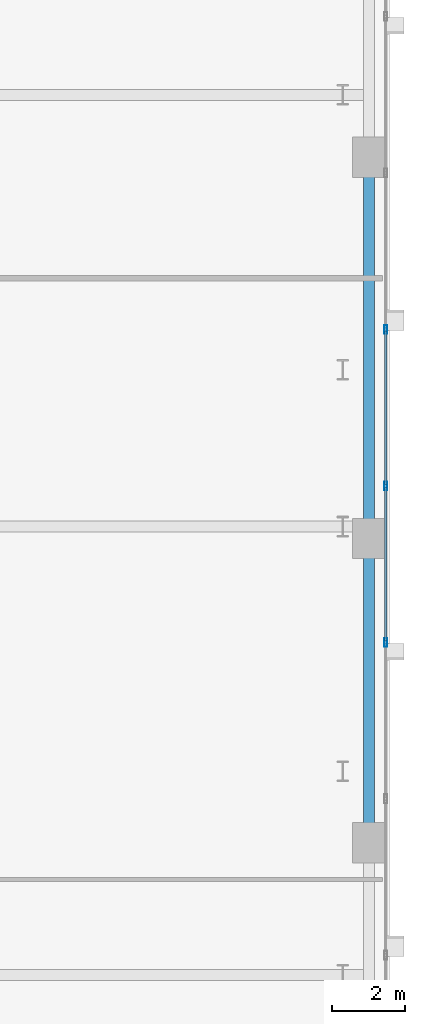
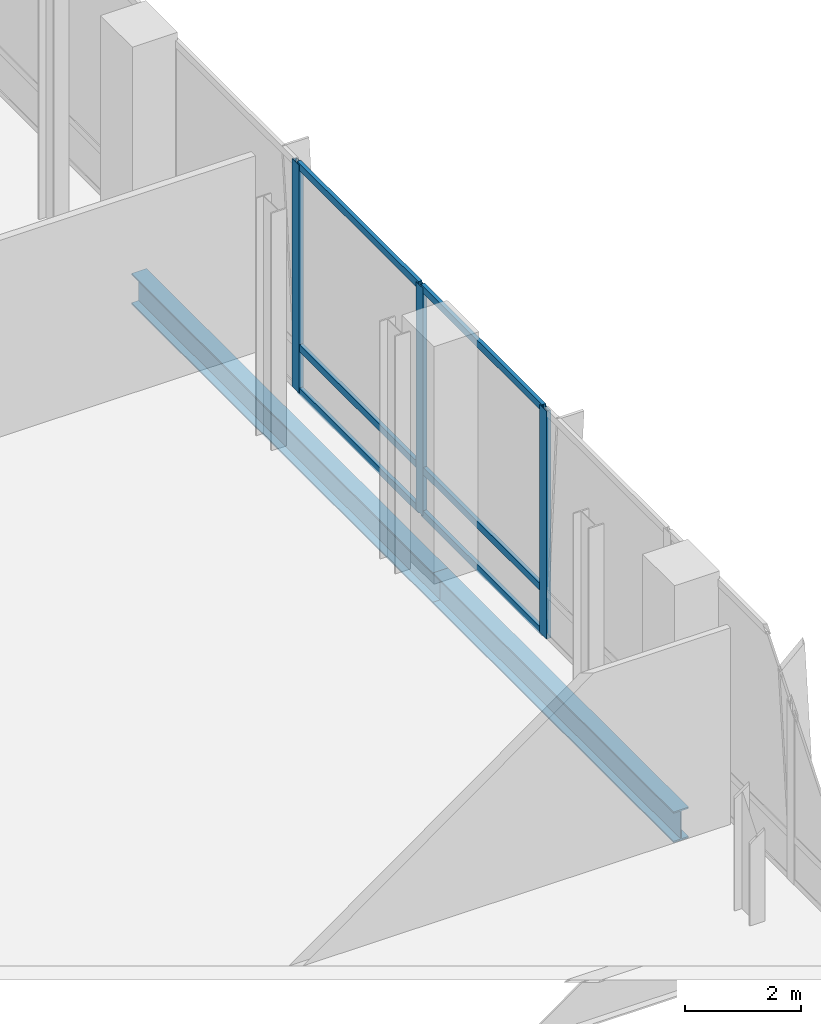
# One storey, part 16 of 26: 9 members, 2 beams, 1 element without a shape of its own.
"""IFC4 building model written with IfcOpenShell, lengths in metres."""

from ifc_helpers import new_model, si_unit, direction, frame, origin, origin_2d, place, context, subcontext, project, spatial, hollow_rectangle, i_section, extrude, material, material_profile, profile_set, type_object, element, aggregate, save


model = new_model("IFC4")

# Units and contexts
model_context = context("Model", 3, precision=1e-05, world=origin(), true_north=direction((0.0, 1.0)))
body_context = subcontext(model_context, "Body", "Model", "MODEL_VIEW")
ifc_project = project(units=[si_unit("LENGTHUNIT", "METRE"), si_unit("AREAUNIT", "SQUARE_METRE"), si_unit("VOLUMEUNIT", "CUBIC_METRE"), si_unit("PLANEANGLEUNIT", "RADIAN"), si_unit("MASSUNIT", "GRAM", prefix="KILO")], contexts=[model_context])

# Site, building, storey
site_placement = place(None, origin())
site = spatial("IfcSite", under=ifc_project, at=site_placement, CompositionType="ELEMENT")
building_placement = place(site_placement, origin())
building = spatial("IfcBuilding", under=site, at=building_placement, Name="Khoronbel Lancet Exchange", CompositionType="ELEMENT")
storey_placement = place(building_placement, frame((0.0, 0.0, 5.39990234375)))
storey = spatial("IfcBuildingStorey", under=building, at=storey_placement, Name="L01", CompositionType="ELEMENT", Elevation=5.39990234375)

# Beams
ifc_material_1 = material(Name="Steel S355", Category="steel")
ifc_material_profile_1 = material_profile(ifc_material_1, i_section(OverallWidth=0.300048828125, OverallDepth=0.64990234375, WebThickness=0.01611328125, FlangeThickness=0.031005859375, at=origin_2d()), Name="HEB 650")
ifc_profile_set_1 = profile_set([ifc_material_profile_1], Name="Steel S355")
beam_type = type_object("IfcBeamType", Name="BM-BSP1", PredefinedType="SPANDREL", material=ifc_profile_set_1)
beam_1_placement = place(storey_placement, frame((72.35009765625, 22.800048828125, -0.52490234375), z_axis=(0.0, 1.0, 0.0), x_axis=(-1.0, 0.0, 0.0)))
element("IfcBeam", 1, at=beam_1_placement, inside=storey, type_object=beam_type, Name="Level L01 perimeter spandrel beam SP10", PredefinedType="SPANDREL", context=body_context, shape_type="SweptSolid", body=[
    extrude(i_section(OverallWidth=0.300048828125, OverallDepth=0.64990234375, WebThickness=0.01611328125, FlangeThickness=0.031005859375, at=origin_2d()), origin(), (0.0, 0.0, 1.0), 8.300048828125),
])
beam_2_placement = place(storey_placement, frame((72.35009765625, 31.10009765625, -0.52490234375), z_axis=(0.0, 1.0, 0.0), x_axis=(-1.0, 0.0, 0.0)))
element("IfcBeam", 2, at=beam_2_placement, inside=storey, type_object=beam_type, Name="Level L01 perimeter spandrel beam SP11", PredefinedType="SPANDREL", context=body_context, shape_type="SweptSolid", body=[
    extrude(i_section(OverallWidth=0.300048828125, OverallDepth=0.64990234375, WebThickness=0.01611328125, FlangeThickness=0.031005859375, at=origin_2d()), origin(), (0.0, 0.0, 1.0), 10.39990234375),
])

# Curtain wall, members
ifc_material_2 = material(Name="Low-E Solar Control Insulating Glass", Category="glass")
curtain_wall_type = type_object("IfcCurtainWallType", Name="CW-5", PredefinedType="NOTDEFINED", material=ifc_material_2)
curtain_wall_placement = place(storey_placement, origin())
curtain_wall = element("IfcCurtainWall", 3, at=curtain_wall_placement, inside=storey, type_object=curtain_wall_type, Name="Unitised curtain wall CW-L01-EAST", PredefinedType="NOTDEFINED")
ifc_material_3 = material(Name="Bronze-Anodised Aluminium 6063-T6", Category="aluminium")
ifc_material_profile_2 = material_profile(ifc_material_3, hollow_rectangle(XDim=0.0849609375, YDim=0.239990234375, WallThickness=0.006103515625, at=origin_2d()), Name="ALU MULLION 85x240")
ifc_profile_set_2 = profile_set([ifc_material_profile_2], Name="Bronze-Anodised Aluminium 6063-T6")
member_type_1 = type_object("IfcMemberType", Name="MEM-CWM1", PredefinedType="MULLION", material=ifc_profile_set_2)
member_1_placement = place(storey_placement, frame((72.800048828125, 28.2666015625, 0.0), z_axis=(0.0, 0.0, 1.0), x_axis=(-1.0, 0.0, 0.0)))
member_1 = element("IfcMember", 4, at=member_1_placement, type_object=member_type_1, Name="CW5 mullion 5", PredefinedType="MULLION", context=body_context, shape_type="SweptSolid", body=[
    extrude(hollow_rectangle(XDim=0.0849609375, YDim=0.239990234375, WallThickness=0.006103515625, at=origin_2d()), origin(), (0.0, 0.0, 1.0), 4.800048828125),
])
member_2_placement = place(storey_placement, frame((72.800048828125, 32.533447265625, 0.0), z_axis=(0.0, 0.0, 1.0), x_axis=(-1.0, 0.0, 0.0)))
member_2 = element("IfcMember", 5, at=member_2_placement, type_object=member_type_1, Name="CW5 mullion 6", PredefinedType="MULLION", context=body_context, shape_type="SweptSolid", body=[
    extrude(hollow_rectangle(XDim=0.0849609375, YDim=0.239990234375, WallThickness=0.006103515625, at=origin_2d()), origin(), (0.0, 0.0, 1.0), 4.800048828125),
])
member_3_placement = place(storey_placement, frame((72.800048828125, 36.800048828125, 0.0), z_axis=(0.0, 0.0, 1.0), x_axis=(-1.0, 0.0, 0.0)))
member_3 = element("IfcMember", 6, at=member_3_placement, type_object=member_type_1, Name="CW5 mullion 7", PredefinedType="MULLION", context=body_context, shape_type="SweptSolid", body=[
    extrude(hollow_rectangle(XDim=0.0849609375, YDim=0.239990234375, WallThickness=0.006103515625, at=origin_2d()), origin(), (0.0, 0.0, 1.0), 4.800048828125),
])
ifc_material_profile_3 = material_profile(ifc_material_3, hollow_rectangle(XDim=0.074951171875, YDim=0.14990234375, WallThickness=0.00439453125, at=origin_2d()), Name="ALU TRANSOM 75x150")
ifc_profile_set_3 = profile_set([ifc_material_profile_3], Name="Bronze-Anodised Aluminium 6063-T6")
member_type_2 = type_object("IfcMemberType", Name="MEM-CWT2", PredefinedType="USERDEFINED", material=ifc_profile_set_3)
member_4_placement = place(storey_placement, frame((72.800048828125, 28.30908203125, 0.03759765625), z_axis=(0.0, 1.0, 0.0), x_axis=(-1.0, 0.0, 0.0)))
member_4 = element("IfcMember", 7, at=member_4_placement, type_object=member_type_2, Name="CW5 transom 5.1", ObjectType="TRANSOM", PredefinedType="USERDEFINED", context=body_context, shape_type="SweptSolid", body=[
    extrude(hollow_rectangle(XDim=0.074951171875, YDim=0.14990234375, WallThickness=0.00439453125, at=origin_2d()), origin(), (0.0, 0.0, 1.0), 4.181640625),
])
member_5_placement = place(storey_placement, frame((72.800048828125, 28.30908203125, 0.9501953125), z_axis=(0.0, 1.0, 0.0), x_axis=(-1.0, 0.0, 0.0)))
member_5 = element("IfcMember", 8, at=member_5_placement, type_object=member_type_2, Name="CW5 transom 5.2", ObjectType="TRANSOM", PredefinedType="USERDEFINED", context=body_context, shape_type="SweptSolid", body=[
    extrude(hollow_rectangle(XDim=0.074951171875, YDim=0.14990234375, WallThickness=0.00439453125, at=origin_2d()), origin(), (0.0, 0.0, 1.0), 4.181640625),
])
member_6_placement = place(storey_placement, frame((72.800048828125, 28.30908203125, 4.7626953125), z_axis=(0.0, 1.0, 0.0), x_axis=(-1.0, 0.0, 0.0)))
member_6 = element("IfcMember", 9, at=member_6_placement, type_object=member_type_2, Name="CW5 transom 5.3", ObjectType="TRANSOM", PredefinedType="USERDEFINED", context=body_context, shape_type="SweptSolid", body=[
    extrude(hollow_rectangle(XDim=0.074951171875, YDim=0.14990234375, WallThickness=0.00439453125, at=origin_2d()), origin(), (0.0, 0.0, 1.0), 4.181640625),
])
member_7_placement = place(storey_placement, frame((72.800048828125, 32.575927734375, 0.03759765625), z_axis=(0.0, 1.0, 0.0), x_axis=(-1.0, 0.0, 0.0)))
member_7 = element("IfcMember", 10, at=member_7_placement, type_object=member_type_2, Name="CW5 transom 6.1", ObjectType="TRANSOM", PredefinedType="USERDEFINED", context=body_context, shape_type="SweptSolid", body=[
    extrude(hollow_rectangle(XDim=0.074951171875, YDim=0.14990234375, WallThickness=0.00439453125, at=origin_2d()), origin(), (0.0, 0.0, 1.0), 4.181640625),
])
member_8_placement = place(storey_placement, frame((72.800048828125, 32.575927734375, 0.9501953125), z_axis=(0.0, 1.0, 0.0), x_axis=(-1.0, 0.0, 0.0)))
member_8 = element("IfcMember", 11, at=member_8_placement, type_object=member_type_2, Name="CW5 transom 6.2", ObjectType="TRANSOM", PredefinedType="USERDEFINED", context=body_context, shape_type="SweptSolid", body=[
    extrude(hollow_rectangle(XDim=0.074951171875, YDim=0.14990234375, WallThickness=0.00439453125, at=origin_2d()), origin(), (0.0, 0.0, 1.0), 4.181640625),
])
member_9_placement = place(storey_placement, frame((72.800048828125, 32.575927734375, 4.7626953125), z_axis=(0.0, 1.0, 0.0), x_axis=(-1.0, 0.0, 0.0)))
member_9 = element("IfcMember", 12, at=member_9_placement, type_object=member_type_2, Name="CW5 transom 6.3", ObjectType="TRANSOM", PredefinedType="USERDEFINED", context=body_context, shape_type="SweptSolid", body=[
    extrude(hollow_rectangle(XDim=0.074951171875, YDim=0.14990234375, WallThickness=0.00439453125, at=origin_2d()), origin(), (0.0, 0.0, 1.0), 4.181640625),
])
aggregate(curtain_wall, [member_1, member_2, member_3, member_4, member_5, member_6, member_7, member_8, member_9])

save(model, "model.ifc")
